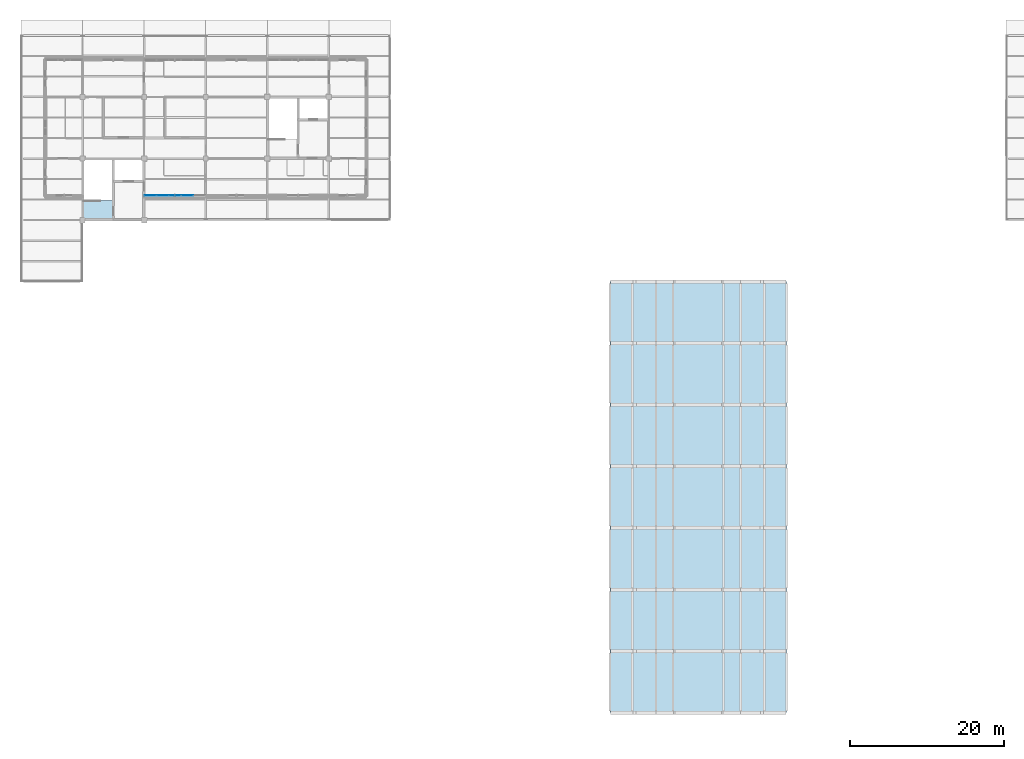
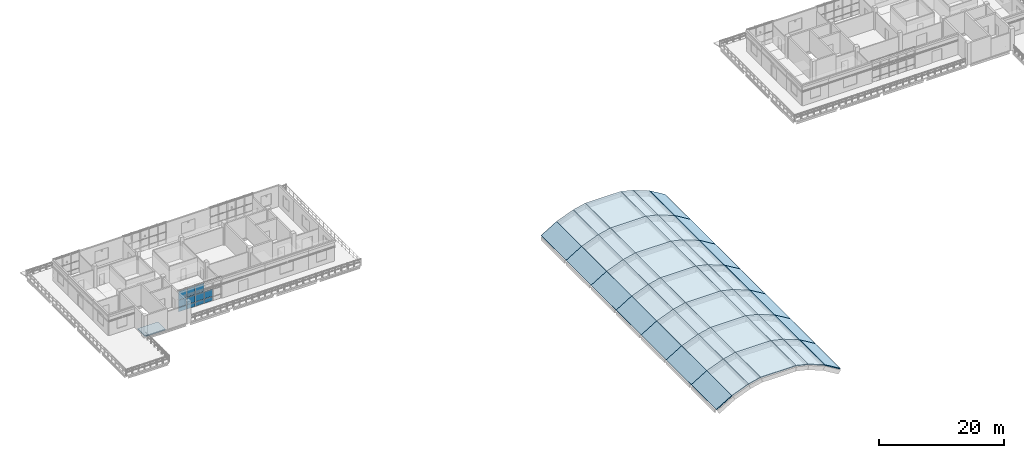
# One storey, part 12 of 24: 50 slabs, 11 plates, 1 element without a shape of its own.
"""IFC4 building model written with IfcOpenShell, lengths in metres."""

from ifc_helpers import new_model, si_unit, derived_unit, direction, frame, origin, origin_2d, place, context, subcontext, project, spatial, polyline, rectangle, outline, extrude, material, layer, layer_set, type_object, element, aggregate, save


model = new_model("IFC4")

# Units and contexts
model_context = context("Model", 3, precision=1e-05, world=origin(), true_north=direction((0.0, 1.0)))
body_context = subcontext(model_context, "Body", "Model", "MODEL_VIEW")
ifc_project = project(units=[si_unit("LENGTHUNIT", "METRE"), si_unit("AREAUNIT", "SQUARE_METRE"), si_unit("VOLUMEUNIT", "CUBIC_METRE"), si_unit("PLANEANGLEUNIT", "RADIAN"), si_unit("MASSUNIT", "GRAM", prefix="KILO"), derived_unit("THERMALTRANSMITTANCEUNIT", [(si_unit("MASSUNIT", "GRAM", prefix="KILO"), 1), (si_unit("TIMEUNIT", "SECOND"), -3), (si_unit("THERMODYNAMICTEMPERATUREUNIT", "KELVIN"), -1)])], contexts=[model_context])

# Site, building, storey
site_placement = place(None, origin())
site = spatial("IfcSite", under=ifc_project, at=site_placement, CompositionType="ELEMENT")
building_placement = place(site_placement, origin())
building = spatial("IfcBuilding", under=site, at=building_placement, Name="Veyamyaing Civic Hall", CompositionType="ELEMENT")
storey_placement = place(building_placement, frame((0.0, 0.0, 25.739990234375)))
storey = spatial("IfcBuildingStorey", under=building, at=storey_placement, Name="L06", CompositionType="ELEMENT", Elevation=25.739990234375)

# Curtain wall, plates
ifc_material_1 = material(Name="Anodised aluminium 6063-T6", Category="aluminium")
ifc_layer_1 = layer(ifc_material_1, 0.159912109375, Name="Anodised aluminium 6063-T6")
ifc_layer_set_1 = layer_set([ifc_layer_1], Name="Anodised aluminium 6063-T6")
curtain_wall_type = type_object("IfcCurtainWallType", Name="CW-05", PredefinedType="NOTDEFINED", material=ifc_layer_set_1)
curtain_wall_placement = place(storey_placement, origin())
curtain_wall = element("IfcCurtainWall", 1, at=curtain_wall_placement, inside=storey, type_object=curtain_wall_type, Name="Executive terrace curtain wall CW-05 L06-NW-S-2", PredefinedType="NOTDEFINED")
ifc_material_2 = material(Name="Low-E insulated glass", Category="glass")
ifc_layer_2 = layer(ifc_material_2, 0.0400390625, Name="Low-E insulated glass")
ifc_layer_set_2 = layer_set([ifc_layer_2], Name="Low-E insulated glass")
plate_type = type_object("IfcPlateType", Name="CWP-05", PredefinedType="CURTAIN_PANEL", material=ifc_layer_set_2)
plate_1_placement = place(storey_placement, frame((16.816162109375, 91.199951171875, 0.06494140625), z_axis=(0.0, 0.0, 1.0), x_axis=(1.0, 0.0, 0.0)))
plate_1 = element("IfcPlate", 2, at=plate_1_placement, type_object=plate_type, Name="CW-05 panel 1.1", PredefinedType="CURTAIN_PANEL", context=body_context, shape_type="SweptSolid", body=[
    extrude(rectangle(XDim=1.50244140625, YDim=0.0400390625, at=origin_2d()), origin(), (0.0, 0.0, 1.0), 0.802490234375),
])
plate_2_placement = place(storey_placement, frame((16.816162109375, 91.199951171875, 0.9326171875), z_axis=(0.0, 0.0, 1.0), x_axis=(1.0, 0.0, 0.0)))
plate_2 = element("IfcPlate", 3, at=plate_2_placement, type_object=plate_type, Name="CW-05 panel 1.2", PredefinedType="CURTAIN_PANEL", context=body_context, shape_type="SweptSolid", body=[
    extrude(rectangle(XDim=1.50244140625, YDim=0.0400390625, at=origin_2d()), origin(), (0.0, 0.0, 1.0), 1.385009765625),
])
plate_3_placement = place(storey_placement, frame((16.816162109375, 91.199951171875, 2.382568359375), z_axis=(0.0, 0.0, 1.0), x_axis=(1.0, 0.0, 0.0)))
plate_3 = element("IfcPlate", 4, at=plate_3_placement, type_object=plate_type, Name="CW-05 panel 1.3", PredefinedType="CURTAIN_PANEL", context=body_context, shape_type="SweptSolid", body=[
    extrude(rectangle(XDim=1.50244140625, YDim=0.0400390625, at=origin_2d()), origin(), (0.0, 0.0, 1.0), 1.642578125),
])
plate_4_placement = place(storey_placement, frame((18.39990234375, 91.199951171875, 0.06494140625), z_axis=(0.0, 0.0, 1.0), x_axis=(1.0, 0.0, 0.0)))
plate_4 = element("IfcPlate", 5, at=plate_4_placement, type_object=plate_type, Name="CW-05 panel 2.1", PredefinedType="CURTAIN_PANEL", context=body_context, shape_type="SweptSolid", body=[
    extrude(rectangle(XDim=1.534912109375, YDim=0.0400390625, at=origin_2d()), origin(), (0.0, 0.0, 1.0), 0.802490234375),
])
plate_5_placement = place(storey_placement, frame((18.39990234375, 91.199951171875, 0.9326171875), z_axis=(0.0, 0.0, 1.0), x_axis=(1.0, 0.0, 0.0)))
plate_5 = element("IfcPlate", 6, at=plate_5_placement, type_object=plate_type, Name="CW-05 panel 2.2", PredefinedType="CURTAIN_PANEL", context=body_context, shape_type="SweptSolid", body=[
    extrude(rectangle(XDim=1.534912109375, YDim=0.0400390625, at=origin_2d()), origin(), (0.0, 0.0, 1.0), 1.385009765625),
])
plate_6_placement = place(storey_placement, frame((18.39990234375, 91.199951171875, 2.382568359375), z_axis=(0.0, 0.0, 1.0), x_axis=(1.0, 0.0, 0.0)))
plate_6 = element("IfcPlate", 7, at=plate_6_placement, type_object=plate_type, Name="CW-05 panel 2.3", PredefinedType="CURTAIN_PANEL", context=body_context, shape_type="SweptSolid", body=[
    extrude(rectangle(XDim=1.534912109375, YDim=0.0400390625, at=origin_2d()), origin(), (0.0, 0.0, 1.0), 1.642578125),
])
plate_7_placement = place(storey_placement, frame((20.0, 91.199951171875, 0.06494140625), z_axis=(0.0, 0.0, 1.0), x_axis=(1.0, 0.0, 0.0)))
plate_7 = element("IfcPlate", 8, at=plate_7_placement, type_object=plate_type, Name="CW-05 panel 3.1", PredefinedType="CURTAIN_PANEL", context=body_context, shape_type="SweptSolid", body=[
    extrude(rectangle(XDim=1.534912109375, YDim=0.0400390625, at=origin_2d()), origin(), (0.0, 0.0, 1.0), 0.802490234375),
])
plate_8_placement = place(storey_placement, frame((20.0, 91.199951171875, 0.9326171875), z_axis=(0.0, 0.0, 1.0), x_axis=(1.0, 0.0, 0.0)))
plate_8 = element("IfcPlate", 9, at=plate_8_placement, type_object=plate_type, Name="CW-05 panel 3.2", PredefinedType="CURTAIN_PANEL", context=body_context, shape_type="SweptSolid", body=[
    extrude(rectangle(XDim=1.534912109375, YDim=0.0400390625, at=origin_2d()), origin(), (0.0, 0.0, 1.0), 1.385009765625),
])
plate_9_placement = place(storey_placement, frame((20.0, 91.199951171875, 2.382568359375), z_axis=(0.0, 0.0, 1.0), x_axis=(1.0, 0.0, 0.0)))
plate_9 = element("IfcPlate", 10, at=plate_9_placement, type_object=plate_type, Name="CW-05 panel 3.3", PredefinedType="CURTAIN_PANEL", context=body_context, shape_type="SweptSolid", body=[
    extrude(rectangle(XDim=1.534912109375, YDim=0.0400390625, at=origin_2d()), origin(), (0.0, 0.0, 1.0), 1.642578125),
])
plate_10_placement = place(storey_placement, frame((21.60009765625, 91.199951171875, 0.06494140625), z_axis=(0.0, 0.0, 1.0), x_axis=(1.0, 0.0, 0.0)))
plate_10 = element("IfcPlate", 11, at=plate_10_placement, type_object=plate_type, Name="CW-05 panel 4.1", PredefinedType="CURTAIN_PANEL", context=body_context, shape_type="SweptSolid", body=[
    extrude(rectangle(XDim=1.534912109375, YDim=0.0400390625, at=origin_2d()), origin(), (0.0, 0.0, 1.0), 0.802490234375),
])
plate_11_placement = place(storey_placement, frame((21.60009765625, 91.199951171875, 0.9326171875), z_axis=(0.0, 0.0, 1.0), x_axis=(1.0, 0.0, 0.0)))
plate_11 = element("IfcPlate", 12, at=plate_11_placement, type_object=plate_type, Name="CW-05 panel 4.2", PredefinedType="CURTAIN_PANEL", context=body_context, shape_type="SweptSolid", body=[
    extrude(rectangle(XDim=1.534912109375, YDim=0.0400390625, at=origin_2d()), origin(), (0.0, 0.0, 1.0), 1.385009765625),
])
aggregate(curtain_wall, [plate_1, plate_2, plate_3, plate_4, plate_5, plate_6, plate_7, plate_8, plate_9, plate_10, plate_11])

# Slabs
ifc_material_3 = material(Name="Concrete C40/50", Category="concrete")
ifc_layer_3 = layer(ifc_material_3, 0.179931640625, Name="Concrete C40/50")
ifc_layer_set_3 = layer_set([ifc_layer_3], Name="Concrete C40/50")
slab_type_1 = type_object("IfcSlabType", Name="SL-11", PredefinedType="ROOF", material=ifc_layer_set_3)
slab_1_placement = place(storey_placement, frame((76.538330078125, 24.0, 0.581298828125), z_axis=(-0.515897439674, 0.0, 0.856650355593), x_axis=(0.856650355593, 0.0, 0.515897439674)))
element("IfcSlab", 13, at=slab_1_placement, inside=storey, type_object=slab_type_1, Name="Council Chamber Barrel Vault Shell SL-11 B1.F3", PredefinedType="ROOF", context=body_context, shape_type="SweptSolid", body=[
    extrude(outline(polyline([(0.0, 0.0), (3.353815073141949, 0.0), (3.353815073141949, 8.0), (0.0, 8.0), (0.0, 0.0)])), origin(), (0.0, 0.0, -1.0), 0.179931640625),
])
slab_2_placement = place(storey_placement, frame((79.43212890625, 24.0, 2.321533203125), z_axis=(-0.364168423283, 0.0, 0.931333108766), x_axis=(0.931333108766, 0.0, 0.364168423283)))
element("IfcSlab", 14, at=slab_2_placement, inside=storey, type_object=slab_type_1, Name="Council Chamber Barrel Vault Shell SL-11 B1.F4", PredefinedType="ROOF", context=body_context, shape_type="SweptSolid", body=[
    extrude(outline(polyline([(0.0, 0.0), (3.2688987056247076, 0.0), (3.2688987056247076, 8.0), (0.0, 8.0), (0.0, 0.0)])), origin(), (0.0, 0.0, -1.0), 0.179931640625),
])
slab_3_placement = place(storey_placement, frame((82.49853515625, 24.0, 3.518798828125), z_axis=(-0.227107929314, 0.0, 0.973869595194), x_axis=(0.973869595194, 0.0, 0.227107929314)))
element("IfcSlab", 15, at=slab_3_placement, inside=storey, type_object=slab_type_1, Name="Council Chamber Barrel Vault Shell SL-11 B1.F5", PredefinedType="ROOF", context=body_context, shape_type="SweptSolid", body=[
    extrude(outline(polyline([(0.0, 0.0), (2.2832962682829585, 0.0), (2.2832962682829585, 8.000000000000002), (0.0, 8.000000000000002), (0.0, 0.0)])), origin(), (0.0, 0.0, -1.0), 0.179931640625),
])
slab_4_placement = place(storey_placement, frame((84.744873046875, 24.0, 4.0400390625), z_axis=(0.0, 0.0, 1.0), x_axis=(1.0, 0.0, 0.0)))
element("IfcSlab", 16, at=slab_4_placement, inside=storey, type_object=slab_type_1, Name="Council Chamber Barrel Vault Shell SL-11 B1.F6", PredefinedType="ROOF", context=body_context, shape_type="SweptSolid", body=[
    extrude(outline(polyline([(0.0, 0.0), (6.51025390625, 0.0), (6.51025390625, 8.0), (0.0, 8.0), (0.0, 0.0)])), origin(), (0.0, 0.0, -1.0), 0.179931640625),
])
slab_5_placement = place(storey_placement, frame((91.27783203125, 24.0, 4.037353515625), z_axis=(0.227107929314, 0.0, 0.973869595194), x_axis=(0.973869595194, 0.0, -0.227107929314)))
element("IfcSlab", 17, at=slab_5_placement, inside=storey, type_object=slab_type_1, Name="Council Chamber Barrel Vault Shell SL-11 B1.F7", PredefinedType="ROOF", context=body_context, shape_type="SweptSolid", body=[
    extrude(outline(polyline([(0.0, 0.0), (2.2832962682829585, 0.0), (2.2832962682829585, 8.000000000000002), (0.0, 8.000000000000002), (0.0, 0.0)])), origin(), (0.0, 0.0, -1.0), 0.179931640625),
])
slab_6_placement = place(storey_placement, frame((93.5234375, 24.0, 3.511962890625), z_axis=(0.364168423283, 0.0, 0.931333108766), x_axis=(0.931333108766, 0.0, -0.364168423283)))
element("IfcSlab", 18, at=slab_6_placement, inside=storey, type_object=slab_type_1, Name="Council Chamber Barrel Vault Shell SL-11 B1.F8", PredefinedType="ROOF", context=body_context, shape_type="SweptSolid", body=[
    extrude(outline(polyline([(0.0, 0.0), (3.2688987056247076, 0.0), (3.2688987056247076, 8.0), (0.0, 8.0), (0.0, 0.0)])), origin(), (0.0, 0.0, -1.0), 0.179931640625),
])
for number, where, z_axis, x_axis, name in (
    (19, (96.588623046875, 24.0, 2.3115234375), (0.515897439674, 0.0, 0.856650355593), (0.856650355593, 0.0, -0.515897439674), "Council Chamber Barrel Vault Shell SL-11 B1.F9"),
    (20, (76.538330078125, 32.0, 0.581298828125), (-0.515897439674, 0.0, 0.856650355593), (0.856650355593, 0.0, 0.515897439674), "Council Chamber Barrel Vault Shell SL-11 B2.F3"),
):
    element("IfcSlab", number, at=place(storey_placement, frame(where, z_axis=z_axis, x_axis=x_axis)), inside=storey, type_object=slab_type_1, Name=name, PredefinedType="ROOF", context=body_context, shape_type="SweptSolid", body=[
        extrude(outline(polyline([(0.0, 0.0), (3.353815073141949, 0.0), (3.353815073141949, 8.0), (0.0, 8.0), (0.0, 0.0)])), origin(), (0.0, 0.0, -1.0), 0.179931640625),
    ])
slab_7_placement = place(storey_placement, frame((79.43212890625, 32.0, 2.321533203125), z_axis=(-0.364168423283, 0.0, 0.931333108766), x_axis=(0.931333108766, 0.0, 0.364168423283)))
element("IfcSlab", 21, at=slab_7_placement, inside=storey, type_object=slab_type_1, Name="Council Chamber Barrel Vault Shell SL-11 B2.F4", PredefinedType="ROOF", context=body_context, shape_type="SweptSolid", body=[
    extrude(outline(polyline([(0.0, 0.0), (3.2688987056247076, 0.0), (3.2688987056247076, 8.0), (0.0, 8.0), (0.0, 0.0)])), origin(), (0.0, 0.0, -1.0), 0.179931640625),
])
slab_8_placement = place(storey_placement, frame((82.49853515625, 32.0, 3.518798828125), z_axis=(-0.227107929314, 0.0, 0.973869595194), x_axis=(0.973869595194, 0.0, 0.227107929314)))
element("IfcSlab", 22, at=slab_8_placement, inside=storey, type_object=slab_type_1, Name="Council Chamber Barrel Vault Shell SL-11 B2.F5", PredefinedType="ROOF", context=body_context, shape_type="SweptSolid", body=[
    extrude(outline(polyline([(0.0, 0.0), (2.2832962682829585, 0.0), (2.2832962682829585, 8.000000000000002), (0.0, 8.000000000000002), (0.0, 0.0)])), origin(), (0.0, 0.0, -1.0), 0.179931640625),
])
slab_9_placement = place(storey_placement, frame((84.744873046875, 32.0, 4.0400390625), z_axis=(0.0, 0.0, 1.0), x_axis=(1.0, 0.0, 0.0)))
element("IfcSlab", 23, at=slab_9_placement, inside=storey, type_object=slab_type_1, Name="Council Chamber Barrel Vault Shell SL-11 B2.F6", PredefinedType="ROOF", context=body_context, shape_type="SweptSolid", body=[
    extrude(outline(polyline([(0.0, 0.0), (6.51025390625, 0.0), (6.51025390625, 8.0), (0.0, 8.0), (0.0, 0.0)])), origin(), (0.0, 0.0, -1.0), 0.179931640625),
])
slab_10_placement = place(storey_placement, frame((91.27783203125, 32.0, 4.037353515625), z_axis=(0.227107929314, 0.0, 0.973869595194), x_axis=(0.973869595194, 0.0, -0.227107929314)))
element("IfcSlab", 24, at=slab_10_placement, inside=storey, type_object=slab_type_1, Name="Council Chamber Barrel Vault Shell SL-11 B2.F7", PredefinedType="ROOF", context=body_context, shape_type="SweptSolid", body=[
    extrude(outline(polyline([(0.0, 0.0), (2.2832962682829585, 0.0), (2.2832962682829585, 8.000000000000002), (0.0, 8.000000000000002), (0.0, 0.0)])), origin(), (0.0, 0.0, -1.0), 0.179931640625),
])
slab_11_placement = place(storey_placement, frame((93.5234375, 32.0, 3.511962890625), z_axis=(0.364168423283, 0.0, 0.931333108766), x_axis=(0.931333108766, 0.0, -0.364168423283)))
element("IfcSlab", 25, at=slab_11_placement, inside=storey, type_object=slab_type_1, Name="Council Chamber Barrel Vault Shell SL-11 B2.F8", PredefinedType="ROOF", context=body_context, shape_type="SweptSolid", body=[
    extrude(outline(polyline([(0.0, 0.0), (3.2688987056247076, 0.0), (3.2688987056247076, 8.0), (0.0, 8.0), (0.0, 0.0)])), origin(), (0.0, 0.0, -1.0), 0.179931640625),
])
for number, where, z_axis, x_axis, name in (
    (26, (96.588623046875, 32.0, 2.3115234375), (0.515897439674, 0.0, 0.856650355593), (0.856650355593, 0.0, -0.515897439674), "Council Chamber Barrel Vault Shell SL-11 B2.F9"),
    (27, (76.538330078125, 40.0, 0.581298828125), (-0.515897439674, 0.0, 0.856650355593), (0.856650355593, 0.0, 0.515897439674), "Council Chamber Barrel Vault Shell SL-11 B3.F3"),
):
    element("IfcSlab", number, at=place(storey_placement, frame(where, z_axis=z_axis, x_axis=x_axis)), inside=storey, type_object=slab_type_1, Name=name, PredefinedType="ROOF", context=body_context, shape_type="SweptSolid", body=[
        extrude(outline(polyline([(0.0, 0.0), (3.353815073141949, 0.0), (3.353815073141949, 8.0), (0.0, 8.0), (0.0, 0.0)])), origin(), (0.0, 0.0, -1.0), 0.179931640625),
    ])
slab_12_placement = place(storey_placement, frame((79.43212890625, 40.0, 2.321533203125), z_axis=(-0.364168423283, 0.0, 0.931333108766), x_axis=(0.931333108766, 0.0, 0.364168423283)))
element("IfcSlab", 28, at=slab_12_placement, inside=storey, type_object=slab_type_1, Name="Council Chamber Barrel Vault Shell SL-11 B3.F4", PredefinedType="ROOF", context=body_context, shape_type="SweptSolid", body=[
    extrude(outline(polyline([(0.0, 0.0), (3.2688987056247076, 0.0), (3.2688987056247076, 8.0), (0.0, 8.0), (0.0, 0.0)])), origin(), (0.0, 0.0, -1.0), 0.179931640625),
])
slab_13_placement = place(storey_placement, frame((82.49853515625, 40.0, 3.518798828125), z_axis=(-0.227107929314, 0.0, 0.973869595194), x_axis=(0.973869595194, 0.0, 0.227107929314)))
element("IfcSlab", 29, at=slab_13_placement, inside=storey, type_object=slab_type_1, Name="Council Chamber Barrel Vault Shell SL-11 B3.F5", PredefinedType="ROOF", context=body_context, shape_type="SweptSolid", body=[
    extrude(outline(polyline([(0.0, 0.0), (2.2832962682829585, 0.0), (2.2832962682829585, 8.000000000000002), (0.0, 8.000000000000002), (0.0, 0.0)])), origin(), (0.0, 0.0, -1.0), 0.179931640625),
])
slab_14_placement = place(storey_placement, frame((84.744873046875, 40.0, 4.0400390625), z_axis=(0.0, 0.0, 1.0), x_axis=(1.0, 0.0, 0.0)))
element("IfcSlab", 30, at=slab_14_placement, inside=storey, type_object=slab_type_1, Name="Council Chamber Barrel Vault Shell SL-11 B3.F6", PredefinedType="ROOF", context=body_context, shape_type="SweptSolid", body=[
    extrude(outline(polyline([(0.0, 0.0), (6.51025390625, 0.0), (6.51025390625, 8.0), (0.0, 8.0), (0.0, 0.0)])), origin(), (0.0, 0.0, -1.0), 0.179931640625),
])
slab_15_placement = place(storey_placement, frame((91.27783203125, 40.0, 4.037353515625), z_axis=(0.227107929314, 0.0, 0.973869595194), x_axis=(0.973869595194, 0.0, -0.227107929314)))
element("IfcSlab", 31, at=slab_15_placement, inside=storey, type_object=slab_type_1, Name="Council Chamber Barrel Vault Shell SL-11 B3.F7", PredefinedType="ROOF", context=body_context, shape_type="SweptSolid", body=[
    extrude(outline(polyline([(0.0, 0.0), (2.2832962682829585, 0.0), (2.2832962682829585, 8.000000000000002), (0.0, 8.000000000000002), (0.0, 0.0)])), origin(), (0.0, 0.0, -1.0), 0.179931640625),
])
slab_16_placement = place(storey_placement, frame((93.5234375, 40.0, 3.511962890625), z_axis=(0.364168423283, 0.0, 0.931333108766), x_axis=(0.931333108766, 0.0, -0.364168423283)))
element("IfcSlab", 32, at=slab_16_placement, inside=storey, type_object=slab_type_1, Name="Council Chamber Barrel Vault Shell SL-11 B3.F8", PredefinedType="ROOF", context=body_context, shape_type="SweptSolid", body=[
    extrude(outline(polyline([(0.0, 0.0), (3.2688987056247076, 0.0), (3.2688987056247076, 8.0), (0.0, 8.0), (0.0, 0.0)])), origin(), (0.0, 0.0, -1.0), 0.179931640625),
])
for number, where, z_axis, x_axis, name in (
    (33, (96.588623046875, 40.0, 2.3115234375), (0.515897439674, 0.0, 0.856650355593), (0.856650355593, 0.0, -0.515897439674), "Council Chamber Barrel Vault Shell SL-11 B3.F9"),
    (34, (76.538330078125, 48.0, 0.581298828125), (-0.515897439674, 0.0, 0.856650355593), (0.856650355593, 0.0, 0.515897439674), "Council Chamber Barrel Vault Shell SL-11 B4.F3"),
):
    element("IfcSlab", number, at=place(storey_placement, frame(where, z_axis=z_axis, x_axis=x_axis)), inside=storey, type_object=slab_type_1, Name=name, PredefinedType="ROOF", context=body_context, shape_type="SweptSolid", body=[
        extrude(outline(polyline([(0.0, 0.0), (3.353815073141949, 0.0), (3.353815073141949, 8.0), (0.0, 8.0), (0.0, 0.0)])), origin(), (0.0, 0.0, -1.0), 0.179931640625),
    ])
slab_17_placement = place(storey_placement, frame((79.43212890625, 48.0, 2.321533203125), z_axis=(-0.364168423283, 0.0, 0.931333108766), x_axis=(0.931333108766, 0.0, 0.364168423283)))
element("IfcSlab", 35, at=slab_17_placement, inside=storey, type_object=slab_type_1, Name="Council Chamber Barrel Vault Shell SL-11 B4.F4", PredefinedType="ROOF", context=body_context, shape_type="SweptSolid", body=[
    extrude(outline(polyline([(0.0, 0.0), (3.2688987056247076, 0.0), (3.2688987056247076, 8.0), (0.0, 8.0), (0.0, 0.0)])), origin(), (0.0, 0.0, -1.0), 0.179931640625),
])
slab_18_placement = place(storey_placement, frame((82.49853515625, 48.0, 3.518798828125), z_axis=(-0.227107929314, 0.0, 0.973869595194), x_axis=(0.973869595194, 0.0, 0.227107929314)))
element("IfcSlab", 36, at=slab_18_placement, inside=storey, type_object=slab_type_1, Name="Council Chamber Barrel Vault Shell SL-11 B4.F5", PredefinedType="ROOF", context=body_context, shape_type="SweptSolid", body=[
    extrude(outline(polyline([(0.0, 0.0), (2.2832962682829585, 0.0), (2.2832962682829585, 8.000000000000002), (0.0, 8.000000000000002), (0.0, 0.0)])), origin(), (0.0, 0.0, -1.0), 0.179931640625),
])
slab_19_placement = place(storey_placement, frame((84.744873046875, 48.0, 4.0400390625), z_axis=(0.0, 0.0, 1.0), x_axis=(1.0, 0.0, 0.0)))
element("IfcSlab", 37, at=slab_19_placement, inside=storey, type_object=slab_type_1, Name="Council Chamber Barrel Vault Shell SL-11 B4.F6", PredefinedType="ROOF", context=body_context, shape_type="SweptSolid", body=[
    extrude(outline(polyline([(0.0, 0.0), (6.51025390625, 0.0), (6.51025390625, 8.0), (0.0, 8.0), (0.0, 0.0)])), origin(), (0.0, 0.0, -1.0), 0.179931640625),
])
slab_20_placement = place(storey_placement, frame((91.27783203125, 48.0, 4.037353515625), z_axis=(0.227107929314, 0.0, 0.973869595194), x_axis=(0.973869595194, 0.0, -0.227107929314)))
element("IfcSlab", 38, at=slab_20_placement, inside=storey, type_object=slab_type_1, Name="Council Chamber Barrel Vault Shell SL-11 B4.F7", PredefinedType="ROOF", context=body_context, shape_type="SweptSolid", body=[
    extrude(outline(polyline([(0.0, 0.0), (2.2832962682829585, 0.0), (2.2832962682829585, 8.000000000000002), (0.0, 8.000000000000002), (0.0, 0.0)])), origin(), (0.0, 0.0, -1.0), 0.179931640625),
])
slab_21_placement = place(storey_placement, frame((93.5234375, 48.0, 3.511962890625), z_axis=(0.364168423283, 0.0, 0.931333108766), x_axis=(0.931333108766, 0.0, -0.364168423283)))
element("IfcSlab", 39, at=slab_21_placement, inside=storey, type_object=slab_type_1, Name="Council Chamber Barrel Vault Shell SL-11 B4.F8", PredefinedType="ROOF", context=body_context, shape_type="SweptSolid", body=[
    extrude(outline(polyline([(0.0, 0.0), (3.2688987056247076, 0.0), (3.2688987056247076, 8.0), (0.0, 8.0), (0.0, 0.0)])), origin(), (0.0, 0.0, -1.0), 0.179931640625),
])
for number, where, z_axis, x_axis, name in (
    (40, (96.588623046875, 48.0, 2.3115234375), (0.515897439674, 0.0, 0.856650355593), (0.856650355593, 0.0, -0.515897439674), "Council Chamber Barrel Vault Shell SL-11 B4.F9"),
    (41, (76.538330078125, 56.0, 0.581298828125), (-0.515897439674, 0.0, 0.856650355593), (0.856650355593, 0.0, 0.515897439674), "Council Chamber Barrel Vault Shell SL-11 B5.F3"),
):
    element("IfcSlab", number, at=place(storey_placement, frame(where, z_axis=z_axis, x_axis=x_axis)), inside=storey, type_object=slab_type_1, Name=name, PredefinedType="ROOF", context=body_context, shape_type="SweptSolid", body=[
        extrude(outline(polyline([(0.0, 0.0), (3.353815073141949, 0.0), (3.353815073141949, 8.0), (0.0, 8.0), (0.0, 0.0)])), origin(), (0.0, 0.0, -1.0), 0.179931640625),
    ])
slab_22_placement = place(storey_placement, frame((79.43212890625, 56.0, 2.321533203125), z_axis=(-0.364168423283, 0.0, 0.931333108766), x_axis=(0.931333108766, 0.0, 0.364168423283)))
element("IfcSlab", 42, at=slab_22_placement, inside=storey, type_object=slab_type_1, Name="Council Chamber Barrel Vault Shell SL-11 B5.F4", PredefinedType="ROOF", context=body_context, shape_type="SweptSolid", body=[
    extrude(outline(polyline([(0.0, 0.0), (3.2688987056247076, 0.0), (3.2688987056247076, 8.0), (0.0, 8.0), (0.0, 0.0)])), origin(), (0.0, 0.0, -1.0), 0.179931640625),
])
slab_23_placement = place(storey_placement, frame((82.49853515625, 56.0, 3.518798828125), z_axis=(-0.227107929314, 0.0, 0.973869595194), x_axis=(0.973869595194, 0.0, 0.227107929314)))
element("IfcSlab", 43, at=slab_23_placement, inside=storey, type_object=slab_type_1, Name="Council Chamber Barrel Vault Shell SL-11 B5.F5", PredefinedType="ROOF", context=body_context, shape_type="SweptSolid", body=[
    extrude(outline(polyline([(0.0, 0.0), (2.2832962682829585, 0.0), (2.2832962682829585, 8.000000000000002), (0.0, 8.000000000000002), (0.0, 0.0)])), origin(), (0.0, 0.0, -1.0), 0.179931640625),
])
slab_24_placement = place(storey_placement, frame((84.744873046875, 56.0, 4.0400390625), z_axis=(0.0, 0.0, 1.0), x_axis=(1.0, 0.0, 0.0)))
element("IfcSlab", 44, at=slab_24_placement, inside=storey, type_object=slab_type_1, Name="Council Chamber Barrel Vault Shell SL-11 B5.F6", PredefinedType="ROOF", context=body_context, shape_type="SweptSolid", body=[
    extrude(outline(polyline([(0.0, 0.0), (6.51025390625, 0.0), (6.51025390625, 8.0), (0.0, 8.0), (0.0, 0.0)])), origin(), (0.0, 0.0, -1.0), 0.179931640625),
])
slab_25_placement = place(storey_placement, frame((91.27783203125, 56.0, 4.037353515625), z_axis=(0.227107929314, 0.0, 0.973869595194), x_axis=(0.973869595194, 0.0, -0.227107929314)))
element("IfcSlab", 45, at=slab_25_placement, inside=storey, type_object=slab_type_1, Name="Council Chamber Barrel Vault Shell SL-11 B5.F7", PredefinedType="ROOF", context=body_context, shape_type="SweptSolid", body=[
    extrude(outline(polyline([(0.0, 0.0), (2.2832962682829585, 0.0), (2.2832962682829585, 8.000000000000002), (0.0, 8.000000000000002), (0.0, 0.0)])), origin(), (0.0, 0.0, -1.0), 0.179931640625),
])
slab_26_placement = place(storey_placement, frame((93.5234375, 56.0, 3.511962890625), z_axis=(0.364168423283, 0.0, 0.931333108766), x_axis=(0.931333108766, 0.0, -0.364168423283)))
element("IfcSlab", 46, at=slab_26_placement, inside=storey, type_object=slab_type_1, Name="Council Chamber Barrel Vault Shell SL-11 B5.F8", PredefinedType="ROOF", context=body_context, shape_type="SweptSolid", body=[
    extrude(outline(polyline([(0.0, 0.0), (3.2688987056247076, 0.0), (3.2688987056247076, 8.0), (0.0, 8.0), (0.0, 0.0)])), origin(), (0.0, 0.0, -1.0), 0.179931640625),
])
for number, where, z_axis, x_axis, name in (
    (47, (96.588623046875, 56.0, 2.3115234375), (0.515897439674, 0.0, 0.856650355593), (0.856650355593, 0.0, -0.515897439674), "Council Chamber Barrel Vault Shell SL-11 B5.F9"),
    (48, (76.538330078125, 64.0, 0.581298828125), (-0.515897439674, 0.0, 0.856650355593), (0.856650355593, 0.0, 0.515897439674), "Council Chamber Barrel Vault Shell SL-11 B6.F3"),
):
    element("IfcSlab", number, at=place(storey_placement, frame(where, z_axis=z_axis, x_axis=x_axis)), inside=storey, type_object=slab_type_1, Name=name, PredefinedType="ROOF", context=body_context, shape_type="SweptSolid", body=[
        extrude(outline(polyline([(0.0, 0.0), (3.353815073141949, 0.0), (3.353815073141949, 8.0), (0.0, 8.0), (0.0, 0.0)])), origin(), (0.0, 0.0, -1.0), 0.179931640625),
    ])
slab_27_placement = place(storey_placement, frame((79.43212890625, 64.0, 2.321533203125), z_axis=(-0.364168423283, 0.0, 0.931333108766), x_axis=(0.931333108766, 0.0, 0.364168423283)))
element("IfcSlab", 49, at=slab_27_placement, inside=storey, type_object=slab_type_1, Name="Council Chamber Barrel Vault Shell SL-11 B6.F4", PredefinedType="ROOF", context=body_context, shape_type="SweptSolid", body=[
    extrude(outline(polyline([(0.0, 0.0), (3.2688987056247076, 0.0), (3.2688987056247076, 8.0), (0.0, 8.0), (0.0, 0.0)])), origin(), (0.0, 0.0, -1.0), 0.179931640625),
])
slab_28_placement = place(storey_placement, frame((82.49853515625, 64.0, 3.518798828125), z_axis=(-0.227107929314, 0.0, 0.973869595194), x_axis=(0.973869595194, 0.0, 0.227107929314)))
element("IfcSlab", 50, at=slab_28_placement, inside=storey, type_object=slab_type_1, Name="Council Chamber Barrel Vault Shell SL-11 B6.F5", PredefinedType="ROOF", context=body_context, shape_type="SweptSolid", body=[
    extrude(outline(polyline([(0.0, 0.0), (2.2832962682829585, 0.0), (2.2832962682829585, 8.000000000000002), (0.0, 8.000000000000002), (0.0, 0.0)])), origin(), (0.0, 0.0, -1.0), 0.179931640625),
])
slab_29_placement = place(storey_placement, frame((84.744873046875, 64.0, 4.0400390625), z_axis=(0.0, 0.0, 1.0), x_axis=(1.0, 0.0, 0.0)))
element("IfcSlab", 51, at=slab_29_placement, inside=storey, type_object=slab_type_1, Name="Council Chamber Barrel Vault Shell SL-11 B6.F6", PredefinedType="ROOF", context=body_context, shape_type="SweptSolid", body=[
    extrude(outline(polyline([(0.0, 0.0), (6.51025390625, 0.0), (6.51025390625, 8.0), (0.0, 8.0), (0.0, 0.0)])), origin(), (0.0, 0.0, -1.0), 0.179931640625),
])
slab_30_placement = place(storey_placement, frame((91.27783203125, 64.0, 4.037353515625), z_axis=(0.227107929314, 0.0, 0.973869595194), x_axis=(0.973869595194, 0.0, -0.227107929314)))
element("IfcSlab", 52, at=slab_30_placement, inside=storey, type_object=slab_type_1, Name="Council Chamber Barrel Vault Shell SL-11 B6.F7", PredefinedType="ROOF", context=body_context, shape_type="SweptSolid", body=[
    extrude(outline(polyline([(0.0, 0.0), (2.2832962682829585, 0.0), (2.2832962682829585, 8.000000000000002), (0.0, 8.000000000000002), (0.0, 0.0)])), origin(), (0.0, 0.0, -1.0), 0.179931640625),
])
slab_31_placement = place(storey_placement, frame((93.5234375, 64.0, 3.511962890625), z_axis=(0.364168423283, 0.0, 0.931333108766), x_axis=(0.931333108766, 0.0, -0.364168423283)))
element("IfcSlab", 53, at=slab_31_placement, inside=storey, type_object=slab_type_1, Name="Council Chamber Barrel Vault Shell SL-11 B6.F8", PredefinedType="ROOF", context=body_context, shape_type="SweptSolid", body=[
    extrude(outline(polyline([(0.0, 0.0), (3.2688987056247076, 0.0), (3.2688987056247076, 8.0), (0.0, 8.0), (0.0, 0.0)])), origin(), (0.0, 0.0, -1.0), 0.179931640625),
])
for number, where, z_axis, x_axis, name in (
    (54, (96.588623046875, 64.0, 2.3115234375), (0.515897439674, 0.0, 0.856650355593), (0.856650355593, 0.0, -0.515897439674), "Council Chamber Barrel Vault Shell SL-11 B6.F9"),
    (55, (76.538330078125, 72.0, 0.581298828125), (-0.515897439674, 0.0, 0.856650355593), (0.856650355593, 0.0, 0.515897439674), "Council Chamber Barrel Vault Shell SL-11 B7.F3"),
):
    element("IfcSlab", number, at=place(storey_placement, frame(where, z_axis=z_axis, x_axis=x_axis)), inside=storey, type_object=slab_type_1, Name=name, PredefinedType="ROOF", context=body_context, shape_type="SweptSolid", body=[
        extrude(outline(polyline([(0.0, 0.0), (3.353815073141949, 0.0), (3.353815073141949, 8.0), (0.0, 8.0), (0.0, 0.0)])), origin(), (0.0, 0.0, -1.0), 0.179931640625),
    ])
slab_32_placement = place(storey_placement, frame((79.43212890625, 72.0, 2.321533203125), z_axis=(-0.364168423283, 0.0, 0.931333108766), x_axis=(0.931333108766, 0.0, 0.364168423283)))
element("IfcSlab", 56, at=slab_32_placement, inside=storey, type_object=slab_type_1, Name="Council Chamber Barrel Vault Shell SL-11 B7.F4", PredefinedType="ROOF", context=body_context, shape_type="SweptSolid", body=[
    extrude(outline(polyline([(0.0, 0.0), (3.2688987056247076, 0.0), (3.2688987056247076, 8.0), (0.0, 8.0), (0.0, 0.0)])), origin(), (0.0, 0.0, -1.0), 0.179931640625),
])
slab_33_placement = place(storey_placement, frame((82.49853515625, 72.0, 3.518798828125), z_axis=(-0.227107929314, 0.0, 0.973869595194), x_axis=(0.973869595194, 0.0, 0.227107929314)))
element("IfcSlab", 57, at=slab_33_placement, inside=storey, type_object=slab_type_1, Name="Council Chamber Barrel Vault Shell SL-11 B7.F5", PredefinedType="ROOF", context=body_context, shape_type="SweptSolid", body=[
    extrude(outline(polyline([(0.0, 0.0), (2.2832962682829585, 0.0), (2.2832962682829585, 8.000000000000002), (0.0, 8.000000000000002), (0.0, 0.0)])), origin(), (0.0, 0.0, -1.0), 0.179931640625),
])
slab_34_placement = place(storey_placement, frame((84.744873046875, 72.0, 4.0400390625), z_axis=(0.0, 0.0, 1.0), x_axis=(1.0, 0.0, 0.0)))
element("IfcSlab", 58, at=slab_34_placement, inside=storey, type_object=slab_type_1, Name="Council Chamber Barrel Vault Shell SL-11 B7.F6", PredefinedType="ROOF", context=body_context, shape_type="SweptSolid", body=[
    extrude(outline(polyline([(0.0, 0.0), (6.51025390625, 0.0), (6.51025390625, 8.0), (0.0, 8.0), (0.0, 0.0)])), origin(), (0.0, 0.0, -1.0), 0.179931640625),
])
slab_35_placement = place(storey_placement, frame((91.27783203125, 72.0, 4.037353515625), z_axis=(0.227107929314, 0.0, 0.973869595194), x_axis=(0.973869595194, 0.0, -0.227107929314)))
element("IfcSlab", 59, at=slab_35_placement, inside=storey, type_object=slab_type_1, Name="Council Chamber Barrel Vault Shell SL-11 B7.F7", PredefinedType="ROOF", context=body_context, shape_type="SweptSolid", body=[
    extrude(outline(polyline([(0.0, 0.0), (2.2832962682829585, 0.0), (2.2832962682829585, 8.000000000000002), (0.0, 8.000000000000002), (0.0, 0.0)])), origin(), (0.0, 0.0, -1.0), 0.179931640625),
])
slab_36_placement = place(storey_placement, frame((93.5234375, 72.0, 3.511962890625), z_axis=(0.364168423283, 0.0, 0.931333108766), x_axis=(0.931333108766, 0.0, -0.364168423283)))
element("IfcSlab", 60, at=slab_36_placement, inside=storey, type_object=slab_type_1, Name="Council Chamber Barrel Vault Shell SL-11 B7.F8", PredefinedType="ROOF", context=body_context, shape_type="SweptSolid", body=[
    extrude(outline(polyline([(0.0, 0.0), (3.2688987056247076, 0.0), (3.2688987056247076, 8.0), (0.0, 8.0), (0.0, 0.0)])), origin(), (0.0, 0.0, -1.0), 0.179931640625),
])
slab_37_placement = place(storey_placement, frame((96.588623046875, 72.0, 2.3115234375), z_axis=(0.515897439674, 0.0, 0.856650355593), x_axis=(0.856650355593, 0.0, -0.515897439674)))
element("IfcSlab", 61, at=slab_37_placement, inside=storey, type_object=slab_type_1, Name="Council Chamber Barrel Vault Shell SL-11 B7.F9", PredefinedType="ROOF", context=body_context, shape_type="SweptSolid", body=[
    extrude(outline(polyline([(0.0, 0.0), (3.353815073141949, 0.0), (3.353815073141949, 8.0), (0.0, 8.0), (0.0, 0.0)])), origin(), (0.0, 0.0, -1.0), 0.179931640625),
])
ifc_layer_4 = layer(ifc_material_3, 0.199951171875, Name="Concrete C40/50")
ifc_layer_set_4 = layer_set([ifc_layer_4], Name="Concrete C40/50")
slab_type_2 = type_object("IfcSlabType", Name="SL-16", PredefinedType="FLOOR", material=ifc_layer_set_4)
slab_38_placement = place(storey_placement, frame((0.0, 0.0, -0.199951171875)))
element("IfcSlab", 62, at=slab_38_placement, inside=storey, type_object=slab_type_2, Name="Stair floor landing slab SL-16 ST-01 L06", PredefinedType="FLOOR", context=body_context, shape_type="SweptSolid", body=[
    extrude(outline(polyline([(8.139892578125, 88.139892578125), (11.909912109375, 88.139892578125), (11.909912109375, 90.52001953125), (8.139892578125, 90.52001953125), (8.139892578125, 88.139892578125)])), origin(), (0.0, 0.0, 1.0), 0.199951171875),
])

save(model, "model.ifc")
